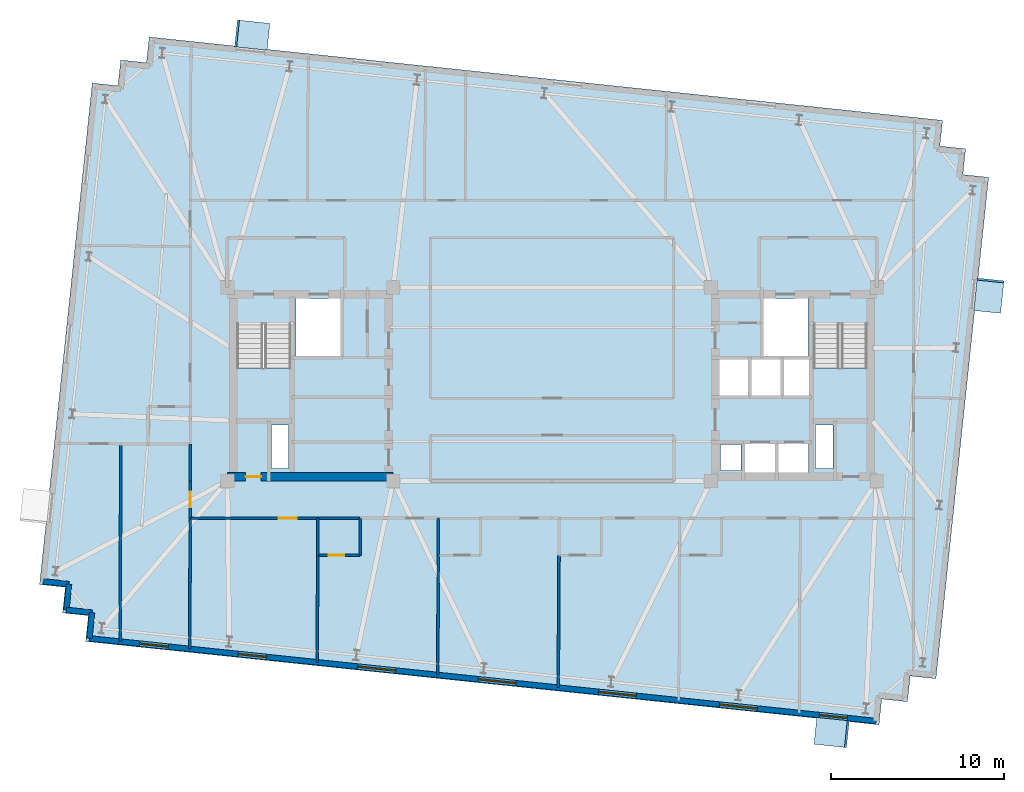
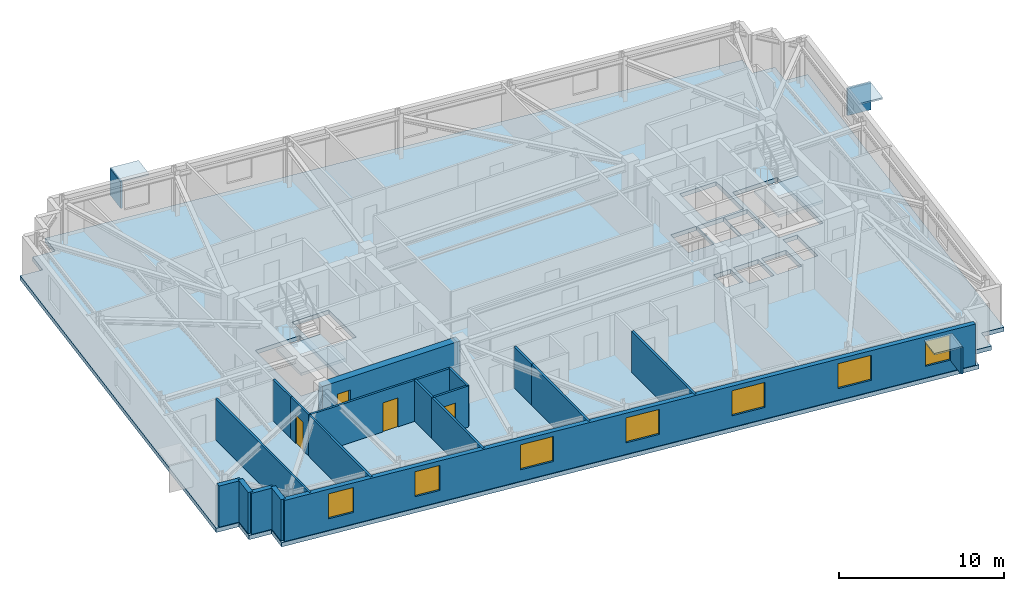
# One storey, part 5 of 11: 19 walls, 7 windows, 6 plates, 4 doors, 3 slabs, 11 openings, 2 elements without a shape of their own.
"""IFC4 building model written with IfcOpenShell, lengths in metres."""

import ifcopenshell
import ifcopenshell.guid

model = None  # the IFC model being written
_history = None  # IfcOwnerHistory: only IFC2X3 demands one
_inside = {}  # id of a spatial element -> (the spatial element, [elements in it])
_under = {}  # id of a project, library or spatial element -> (it, [spatial elements below it])
_declared = {}  # id of a project -> (the project, [libraries it declares])
_typed = {}  # id of a type object -> (the type object, [elements of that type])
_made_of = {}  # id of a material, layer set ... -> (it, [elements and type objects made of it])


def new_model(schema):
    """Start an empty IFC model of exactly this schema.

    Asked for "IFC4X3", IfcOpenShell would pick the latest addendum, in which some entities
    have other attributes; the version numbers below select the first issue.
    IFC2X3 requires an IfcOwnerHistory on every rooted entity: one is made here for all.
    """
    global model, _history
    if schema == "IFC4X3":
        model = ifcopenshell.file(schema_version=(4, 3, 0, 0))
    else:
        model = ifcopenshell.file(schema=schema)
    _inside.clear()
    _under.clear()
    _declared.clear()
    _typed.clear()
    _made_of.clear()
    _history = None
    if model.schema == "IFC2X3":
        org = make("IfcOrganization", Name="unknown")
        user = make(
            "IfcPersonAndOrganization",
            ThePerson=make("IfcPerson", FamilyName="unknown"),
            TheOrganization=org,
        )
        app = make(
            "IfcApplication",
            ApplicationDeveloper=org,
            Version="unknown",
            ApplicationFullName="unknown",
            ApplicationIdentifier="unknown",
        )
        _history = make(
            "IfcOwnerHistory",
            OwningUser=user,
            OwningApplication=app,
            ChangeAction="ADDED",
            CreationDate=0,
        )
    return model


def make(cls, **values):
    """One entity of the class cls with the attributes given. An attribute that is None is left unset."""
    return model.create_entity(
        cls, **{name: value for name, value in values.items() if value is not None}
    )


def rooted(cls, **values):
    """An entity with a GlobalId (a new one), such as an element, a storey or a relation."""
    return make(cls, GlobalId=ifcopenshell.guid.new(), OwnerHistory=_history, **values)


def si_unit(unit_type, name, prefix=None):
    """IfcSIUnit, for example si_unit("LENGTHUNIT", "METRE", prefix="MILLI")."""
    return make("IfcSIUnit", UnitType=unit_type, Prefix=prefix, Name=name)


def assignment(units):
    """IfcUnitAssignment: the units of a project."""
    return None if units is None else make("IfcUnitAssignment", Units=units)


def point(xyz):
    """IfcCartesianPoint."""
    return None if xyz is None else make("IfcCartesianPoint", Coordinates=xyz)


def direction(xyz):
    """IfcDirection."""
    return None if xyz is None else make("IfcDirection", DirectionRatios=xyz)


def frame(location, z_axis=None, x_axis=None):
    """IfcAxis2Placement3D, a coordinate frame: its origin and axes. An axis left out is left unset."""
    return make(
        "IfcAxis2Placement3D",
        Location=point(location),
        Axis=direction(z_axis),
        RefDirection=direction(x_axis),
    )


def frame_2d(location, x_axis=None):
    """IfcAxis2Placement2D, a coordinate frame in the plane: its origin and x axis."""
    return make(
        "IfcAxis2Placement2D", Location=point(location), RefDirection=direction(x_axis)
    )


def origin():
    """The frame at (0, 0, 0) with its axes left unset."""
    return frame((0.0, 0.0, 0.0))


def origin_2d():
    """The frame at (0, 0) in the plane with its x axis left unset."""
    return frame_2d((0.0, 0.0))


def place(relative_to, where):
    """IfcLocalPlacement: puts the frame where relative to a parent placement (None: the world)."""
    return make(
        "IfcLocalPlacement", PlacementRelTo=relative_to, RelativePlacement=where
    )


def context(
    kind, dimensions, precision=None, world=None, true_north=None, identifier=None
):
    """IfcGeometricRepresentationContext, for example the 3D "Model" context."""
    return make(
        "IfcGeometricRepresentationContext",
        ContextIdentifier=identifier,
        ContextType=kind,
        CoordinateSpaceDimension=dimensions,
        Precision=precision,
        WorldCoordinateSystem=world,
        TrueNorth=true_north,
    )


def subcontext(parent, identifier, kind, view, scale=None):
    """IfcGeometricRepresentationSubContext, for example "Body" below "Model"."""
    return make(
        "IfcGeometricRepresentationSubContext",
        ContextIdentifier=identifier,
        ContextType=kind,
        ParentContext=parent,
        TargetScale=scale,
        TargetView=view,
    )


def project(units=None, contexts=None):
    """IfcProject with its units and contexts."""
    return rooted(
        "IfcProject",
        Name="project",
        RepresentationContexts=contexts,
        UnitsInContext=assignment(units),
    )


def spatial(cls, under=None, at=None, **own):
    """A site, building, storey or space (cls), placed at a placement, below another one or the project."""
    s = rooted(cls, ObjectPlacement=at, **own)
    if under is not None:
        _under.setdefault(under.id(), (under, []))[1].append(s)
    return s


def polyline(points):
    """IfcPolyline through the points."""
    return make("IfcPolyline", Points=[point(p) for p in points])


def profile(cls, at=None, kind="AREA", **sizes):
    """A parametric profile (cls). Its sizes go by their IFC names, for example OverallWidth=200.0."""
    return make(cls, ProfileType=kind, Position=at, **sizes)


def rectangle(**sizes):
    """IfcRectangleProfileDef."""
    return profile("IfcRectangleProfileDef", **sizes)


def outline(outer, holes=None, kind="AREA"):
    """IfcArbitraryClosedProfileDef: a profile drawn as a closed curve; with holes, ...WithVoids."""
    if holes is None:
        return make("IfcArbitraryClosedProfileDef", ProfileType=kind, OuterCurve=outer)
    return make(
        "IfcArbitraryProfileDefWithVoids",
        ProfileType=kind,
        OuterCurve=outer,
        InnerCurves=holes,
    )


def extrude(swept, where, along, depth):
    """IfcExtrudedAreaSolid: the profile swept, set in the frame where, extruded along a direction by depth."""
    return make(
        "IfcExtrudedAreaSolid",
        SweptArea=swept,
        Position=where,
        ExtrudedDirection=direction(along),
        Depth=depth,
    )


def shape(context_of_items, identifier, shape_type, items):
    """IfcShapeRepresentation: the items that make up one representation, for example the "Body"."""
    return make(
        "IfcShapeRepresentation",
        ContextOfItems=context_of_items,
        RepresentationIdentifier=identifier,
        RepresentationType=shape_type,
        Items=items,
    )


def material(Name=None, Category=None):
    """IfcMaterial."""
    return make("IfcMaterial", Name=Name, Category=Category)


def layer(
    of_material, thickness, ventilated=None, Name=None, Category=None, Priority=None
):
    """IfcMaterialLayer: one layer of a wall or slab, of a material (None: an air gap)."""
    return make(
        "IfcMaterialLayer",
        Material=of_material,
        LayerThickness=thickness,
        IsVentilated=ventilated,
        Name=Name,
        Category=Category,
        Priority=Priority,
    )


def layer_set(layers, Name=None):
    """IfcMaterialLayerSet."""
    return make("IfcMaterialLayerSet", MaterialLayers=layers, LayerSetName=Name)


def made_of(thing, what):
    """Note that an element or type object is made of a material, layer set ...; save() writes the relation."""
    if what is not None:
        _made_of.setdefault(what.id(), (what, []))[1].append(thing)
    return thing


def type_object(cls, material=None, **own):
    """A type object (cls), such as IfcWallType, which elements share."""
    return made_of(rooted(cls, **own), material)


def element(
    cls,
    number,
    at=None,
    inside=None,
    cuts=None,
    type_object=None,
    material=None,
    context=None,
    identifier="Body",
    shape_type=None,
    held_by="IfcProductDefinitionShape",
    body=None,
    shapes=None,
    **own,
):
    """One element of the class cls, such as IfcWall. Its Tag is "e" and its number.

    at: its placement. inside: the storey or other place that contains it. cuts: it is an
    opening in that element (IfcRelVoidsElement). A single representation is given by context,
    identifier, shape_type and body (its items); several are given by shapes. held_by: the class
    of the entity that holds the representations. save() writes the other relations.
    """
    e = rooted(cls, Tag="e%d" % number, ObjectPlacement=at, **own)
    if body is not None:
        shapes = [shape(context, identifier, shape_type, body)]
    if shapes is not None:
        e.Representation = make(held_by, Representations=shapes)
    if inside is not None:
        _inside.setdefault(inside.id(), (inside, []))[1].append(e)
    if cuts is not None:
        rooted(
            "IfcRelVoidsElement", RelatingBuildingElement=cuts, RelatedOpeningElement=e
        )
    if type_object is not None:
        _typed.setdefault(type_object.id(), (type_object, []))[1].append(e)
    return made_of(e, material)


def fill(opening, filler):
    """IfcRelFillsElement: the door or window that sits in an opening."""
    return rooted(
        "IfcRelFillsElement",
        RelatingOpeningElement=opening,
        RelatedBuildingElement=filler,
    )


def aggregate(whole, parts):
    """IfcRelAggregates: a whole, such as a stair, and the parts it consists of."""
    return rooted("IfcRelAggregates", RelatingObject=whole, RelatedObjects=parts)


def save(model, path):
    """Write the relations noted so far, then the file.

    IfcRelAggregates (storeys below a building ...), IfcRelContainedInSpatialStructure (elements
    in a storey), IfcRelDefinesByType, IfcRelAssociatesMaterial and IfcRelDeclares: one each for
    every whole, place, type object, material and project.
    """
    for whole, parts in _under.values():
        aggregate(whole, parts)
    for where, things in _inside.values():
        rooted(
            "IfcRelContainedInSpatialStructure",
            RelatedElements=things,
            RelatingStructure=where,
        )
    for kind, things in _typed.values():
        rooted("IfcRelDefinesByType", RelatedObjects=things, RelatingType=kind)
    for what, things in _made_of.values():
        rooted("IfcRelAssociatesMaterial", RelatedObjects=things, RelatingMaterial=what)
    for by, libraries in _declared.values():
        rooted("IfcRelDeclares", RelatingContext=by, RelatedDefinitions=libraries)
    model.write(path)


model = new_model("IFC4")

# Units and contexts
model_context = context("Model", 3, precision=1e-05, world=origin(), true_north=direction((0.0, 1.0)))
body_context = subcontext(model_context, "Body", "Model", "MODEL_VIEW")
ifc_project = project(units=[si_unit("LENGTHUNIT", "METRE"), si_unit("AREAUNIT", "SQUARE_METRE"), si_unit("VOLUMEUNIT", "CUBIC_METRE"), si_unit("PLANEANGLEUNIT", "RADIAN"), si_unit("MASSUNIT", "GRAM", prefix="KILO")], contexts=[model_context])

# Site, building, storey
site_placement = place(None, origin())
site = spatial("IfcSite", under=ifc_project, at=site_placement, CompositionType="ELEMENT")
building_placement = place(site_placement, origin())
building = spatial("IfcBuilding", under=site, at=building_placement, Name="Qobustan Lattice House", CompositionType="ELEMENT")
storey_placement = place(building_placement, frame((0.0, 0.0, 216.5)))
storey = spatial("IfcBuildingStorey", under=building, at=storey_placement, Name="L61", CompositionType="ELEMENT", Elevation=216.5)

# Plates
ifc_material_1 = material(Name="Qobustan limestone GFRC", Category="masonry")
ifc_layer_1 = layer(ifc_material_1, 0.1201171875)
ifc_layer_set_1 = layer_set([ifc_layer_1], Name="Qobustan limestone GFRC")
plate_type = type_object("IfcPlateType", Name="SHD-HOOD-BROW", PredefinedType="USERDEFINED", material=ifc_layer_set_1)
plate_1_placement = place(storey_placement, frame((-17.364990234375, 20.224853515625, 2.699951171875), z_axis=(0.0, 0.0, 1.0), x_axis=(0.994521895368, -0.104528463268, 0.0)))
element("IfcPlate", 1, at=plate_1_placement, inside=storey, type_object=plate_type, Name="L61 splayed Qobustan stone hood brow", ObjectType="SUNSHADE", PredefinedType="USERDEFINED", context=body_context, shape_type="SweptSolid", body=[
    extrude(rectangle(XDim=1.889892578125, YDim=1.56005859375, at=origin_2d()), origin(), (0.0, 0.0, 1.0), 0.1201171875),
])
plate_2_placement = place(storey_placement, frame((-18.2451171875, 20.3173828125, 0.7900390625), z_axis=(0.0, 0.0, 1.0), x_axis=(0.994521895368, -0.104528463268, 0.0)))
element("IfcPlate", 2, at=plate_2_placement, inside=storey, type_object=plate_type, Name="L61 splayed Qobustan stone hood cheek", ObjectType="SUNSHADE", PredefinedType="USERDEFINED", context=body_context, shape_type="SweptSolid", body=[
    extrude(rectangle(XDim=0.1201171875, YDim=1.56005859375, at=origin_2d()), origin(), (0.0, 0.0, 1.0), 1.969970703125),
])
plate_3_placement = place(storey_placement, frame((25.29638671875, 5.134521484375, 2.699951171875), z_axis=(0.0, 0.0, 1.0), x_axis=(-0.104528463268, -0.994521895368, 0.0)))
element("IfcPlate", 3, at=plate_3_placement, inside=storey, type_object=plate_type, Name="L61 splayed Qobustan stone hood brow", ObjectType="SUNSHADE", PredefinedType="USERDEFINED", context=body_context, shape_type="SweptSolid", body=[
    extrude(rectangle(XDim=1.889892578125, YDim=1.56005859375, at=origin_2d()), origin(), (0.0, 0.0, 1.0), 0.1201171875),
])
plate_4_placement = place(storey_placement, frame((25.388916015625, 6.0146484375, 0.7900390625), z_axis=(0.0, 0.0, 1.0), x_axis=(-0.104528463268, -0.994521895368, 0.0)))
element("IfcPlate", 4, at=plate_4_placement, inside=storey, type_object=plate_type, Name="L61 splayed Qobustan stone hood cheek", ObjectType="SUNSHADE", PredefinedType="USERDEFINED", context=body_context, shape_type="SweptSolid", body=[
    extrude(rectangle(XDim=0.1201171875, YDim=1.56005859375, at=origin_2d()), origin(), (0.0, 0.0, 1.0), 1.969970703125),
])
plate_5_placement = place(storey_placement, frame((16.18994140625, -20.163818359375, 2.699951171875), z_axis=(0.0, 0.0, 1.0), x_axis=(-0.994521895368, 0.104528463268, 0.0)))
element("IfcPlate", 5, at=plate_5_placement, inside=storey, type_object=plate_type, Name="L61 splayed Qobustan stone hood brow", ObjectType="SUNSHADE", PredefinedType="USERDEFINED", context=body_context, shape_type="SweptSolid", body=[
    extrude(rectangle(XDim=1.889892578125, YDim=1.56005859375, at=origin_2d()), origin(), (0.0, 0.0, 1.0), 0.1201171875),
])
plate_6_placement = place(storey_placement, frame((17.070068359375, -20.25634765625, 0.7900390625), z_axis=(0.0, 0.0, 1.0), x_axis=(-0.994521895368, 0.104528463268, 0.0)))
element("IfcPlate", 6, at=plate_6_placement, inside=storey, type_object=plate_type, Name="L61 splayed Qobustan stone hood cheek", ObjectType="SUNSHADE", PredefinedType="USERDEFINED", context=body_context, shape_type="SweptSolid", body=[
    extrude(rectangle(XDim=0.1201171875, YDim=1.56005859375, at=origin_2d()), origin(), (0.0, 0.0, 1.0), 1.969970703125),
])

# Slab
ifc_material_2 = material(Name="Concrete C40/50", Category="concrete")
ifc_layer_2 = layer(ifc_material_2, 0.31005859375)
ifc_layer_set_2 = layer_set([ifc_layer_2], Name="Concrete C40/50")
slab_type_1 = type_object("IfcSlabType", Name="SLB-FLR-310", PredefinedType="FLOOR", material=ifc_layer_set_2)
slab_1_placement = place(storey_placement, frame((0.0, 0.0, -0.31005859375)))
element("IfcSlab", 7, at=slab_1_placement, inside=storey, type_object=slab_type_1, Name="L61 structural floor slab", PredefinedType="FLOOR", context=body_context, shape_type="SweptSolid", body=[
    extrude(outline(polyline([(-27.01318359375, -14.888916015625), (18.933837890625, -19.71826171875), (19.090576171875, -18.226318359375), (20.582275390625, -18.38330078125), (20.739013671875, -16.891357421875), (22.23095703125, -17.048095703125), (25.283203125, 11.99169921875), (23.79150390625, 12.148681640625), (23.947998046875, 13.640380859375), (22.456298828125, 13.797119140625), (22.61328125, 15.2890625), (-23.333740234375, 20.1181640625), (-23.490478515625, 18.62646484375), (-24.982421875, 18.783203125), (-25.13916015625, 17.29150390625), (-26.630859375, 17.4482421875), (-29.68310546875, -11.591796875), (-28.19140625, -11.74853515625), (-28.34814453125, -13.240478515625), (-26.8564453125, -13.397216796875), (-27.01318359375, -14.888916015625)]), holes=[polyline([(-18.25, -2.050048828125), (-18.25, 3.489990234375), (-15.1298828125, 3.489990234375), (-15.1298828125, -2.050048828125), (-18.25, -2.050048828125)]), polyline([(15.1298828125, -2.050048828125), (15.1298828125, 3.489990234375), (18.25, 3.489990234375), (18.25, -2.050048828125), (15.1298828125, -2.050048828125)]), polyline([(-14.820068359375, 1.64990234375), (-14.820068359375, 4.9599609375), (-12.25, 4.9599609375), (-12.25, 1.64990234375), (-14.820068359375, 1.64990234375)]), polyline([(12.25, 1.64990234375), (12.25, 4.9599609375), (14.820068359375, 4.9599609375), (14.820068359375, 1.64990234375), (12.25, 1.64990234375)]), polyline([(-16.260009765625, -4.8798828125), (-16.260009765625, -2.360107421875), (-15.260009765625, -2.360107421875), (-15.260009765625, -4.8798828125), (-16.260009765625, -4.8798828125)]), polyline([(15.260009765625, -4.8798828125), (15.260009765625, -2.360107421875), (16.260009765625, -2.360107421875), (16.260009765625, -4.8798828125), (15.260009765625, -4.8798828125)]), polyline([(11.179931640625, -5.35009765625), (11.179931640625, -3.419921875), (12.919921875, -3.419921875), (12.919921875, -5.35009765625), (11.179931640625, -5.35009765625)]), polyline([(13.1201171875, -5.35009765625), (13.1201171875, -3.419921875), (14.85009765625, -3.419921875), (14.85009765625, -5.35009765625), (13.1201171875, -5.35009765625)]), polyline([(9.760009765625, -5.0), (9.760009765625, -3.47998046875), (10.93994140625, -3.47998046875), (10.93994140625, -5.0), (9.760009765625, -5.0)]), polyline([(13.360107421875, -0.679931640625), (13.360107421875, 1.47998046875), (14.97998046875, 1.47998046875), (14.97998046875, -0.679931640625), (13.360107421875, -0.679931640625)]), polyline([(9.6201171875, -0.679931640625), (9.6201171875, 1.47998046875), (11.43994140625, 1.47998046875), (11.43994140625, -0.679931640625), (9.6201171875, -0.679931640625)]), polyline([(11.5, -0.679931640625), (11.5, 1.47998046875), (13.320068359375, 1.47998046875), (13.320068359375, -0.679931640625), (11.5, -0.679931640625)])]), origin(), (0.0, 0.0, 1.0), 0.31005859375),
])

# Stair, slab
ifc_material_3 = material(Name="Concrete C40/50", Category="concrete")
stair_type = type_object("IfcStairType", Name="STR-CORE-DOGLEG", PredefinedType="HALF_TURN_STAIR", material=ifc_material_3)
stair_1_placement = place(storey_placement, origin())
stair_1 = element("IfcStair", 8, at=stair_1_placement, inside=storey, type_object=stair_type, Name="L61 West protected exit stair ST-W1", PredefinedType="HALF_TURN_STAIR")
ifc_material_4 = material(Name="Concrete C40/50", Category="concrete")
ifc_layer_3 = layer(ifc_material_4, 0.199951171875)
ifc_layer_set_3 = layer_set([ifc_layer_3], Name="Concrete C40/50")
slab_type_2 = type_object("IfcSlabType", Name="SLB-LANDING-200", PredefinedType="LANDING", material=ifc_layer_set_3)
slab_2_placement = place(storey_placement, frame((0.0, 0.0, 1.47509765625)))
slab_2 = element("IfcSlab", 9, at=slab_2_placement, type_object=slab_type_2, Name="ST-W1 landing 1", PredefinedType="LANDING", context=body_context, shape_type="SweptSolid", body=[
    extrude(outline(polyline([(-18.25, 0.93505859375), (-18.25, -2.050048828125), (-15.1298828125, -2.050048828125), (-15.1298828125, 0.93505859375), (-18.25, 0.93505859375)])), origin(), (0.0, 0.0, 1.0), 0.199951171875),
])
aggregate(stair_1, [slab_2])

stair_2_placement = place(storey_placement, origin())
stair_2 = element("IfcStair", 10, at=stair_2_placement, inside=storey, type_object=stair_type, Name="L61 East protected exit stair ST-E1", PredefinedType="HALF_TURN_STAIR")
slab_3_placement = place(storey_placement, frame((0.0, 0.0, 1.47509765625)))
slab_3 = element("IfcSlab", 11, at=slab_3_placement, type_object=slab_type_2, Name="ST-E1 landing 1", PredefinedType="LANDING", context=body_context, shape_type="SweptSolid", body=[
    extrude(outline(polyline([(15.1298828125, 0.93505859375), (15.1298828125, -2.050048828125), (18.25, -2.050048828125), (18.25, 0.93505859375), (15.1298828125, 0.93505859375)])), origin(), (0.0, 0.0, 1.0), 0.199951171875),
])
aggregate(stair_2, [slab_3])

# Wall, opening, door
ifc_material_5 = material(Name="Concrete C50/60", Category="concrete")
ifc_layer_4 = layer(ifc_material_5, 0.5)
ifc_layer_set_4 = layer_set([ifc_layer_4], Name="Concrete C50/60")
wall_type_1 = type_object("IfcWallType", Name="WAL-CORE-500", PredefinedType="SHEAR", material=ifc_layer_set_4)
wall_1_placement = place(storey_placement, frame((-18.800048828125, -5.35009765625, 0.0), z_axis=(0.0, 0.0, 1.0), x_axis=(1.0, 0.0, 0.0)))
wall_1 = element("IfcWall", 12, at=wall_1_placement, inside=storey, type_object=wall_type_1, Name="L61 split-core shear wall CW-S", PredefinedType="SHEAR", context=body_context, shape_type="SweptSolid", body=[
    extrude(rectangle(XDim=9.60009765625, YDim=0.5, at=frame_2d((4.800048828125, 0.0))), origin(), (0.0, 0.0, 1.0), 3.0400390625),
])
opening_1_placement = place(wall_1_placement, frame((1.050048828125, 0.0, 0.0)))
opening_1 = element("IfcOpeningElement", 13, at=opening_1_placement, cuts=wall_1, Name="Opening RD-01", PredefinedType="OPENING", context=body_context, shape_type="SweptSolid", body=[
    extrude(rectangle(XDim=0.89990234375, YDim=2.10009765625, at=frame_2d((0.449951171875, 1.050048828125))), frame((0.0, 0.260009765625, 0.0), z_axis=(0.0, -1.0, 0.0), x_axis=(1.0, 0.0, 0.0)), (0.0, 0.0, 1.0), 0.52001953125),
])
ifc_material_6 = material(Name="Persian walnut timber and steel frame door", Category="steel")
door_type_1 = type_object("IfcDoorType", Name="DOR-RISER-FD-900x2100", OperationType="NOTDEFINED", PredefinedType="DOOR", material=ifc_material_6)
door_1_placement = place(opening_1_placement, origin())
door_1 = element("IfcDoor", 14, at=door_1_placement, inside=storey, type_object=door_type_1, Name="L61 core service riser access door W", OperationType="SINGLE_SWING_RIGHT", OverallHeight=2.10009765625, OverallWidth=0.89990234375, PredefinedType="DOOR", context=body_context, shape_type="SweptSolid", body=[
    extrude(rectangle(XDim=0.89990234375, YDim=2.10009765625, at=frame_2d((0.449951171875, 1.050048828125))), frame((0.0, 0.02490234375, 0.0), z_axis=(0.0, -1.0, 0.0), x_axis=(1.0, 0.0, 0.0)), (0.0, 0.0, 1.0), 0.050048828125),
])
fill(opening_1, door_1)

# Walls
ifc_material_7 = material(Name="Precast concrete C40/50", Category="concrete")
ifc_layer_5 = layer(ifc_material_7, 0.320068359375)
ifc_layer_set_5 = layer_set([ifc_layer_5], Name="Precast concrete C40/50")
wall_type_2 = type_object("IfcWallType", Name="WAL-EXT-STONE-320", PredefinedType="SOLIDWALL", material=ifc_layer_set_5)
for number, where, z_axis, x_axis, name in (
    (15, (-26.79345703125, -14.7109375, 0.0), (0.0, 0.0, 1.0), (0.104498377516, 0.994525057048, 0.0), "L61 exterior limestone-clad wall 1"),
    (16, (-26.63671875, -13.21923828125, 0.0), (0.0, 0.0, 1.0), (-0.994525057048, 0.104498377516, 0.0), "L61 exterior limestone-clad wall 2"),
):
    element("IfcWall", number, at=place(storey_placement, frame(where, z_axis=z_axis, x_axis=x_axis)), inside=storey, type_object=wall_type_2, Name=name, PredefinedType="SOLIDWALL", context=body_context, shape_type="SweptSolid", body=[
        extrude(rectangle(XDim=1.5, YDim=0.320068359375, at=frame_2d((0.75, 0.0))), origin(), (0.0, 0.0, 1.0), 3.0400390625),
    ])
wall_2_placement = place(storey_placement, frame((-28.12841796875, -13.0625, 0.0), z_axis=(0.0, 0.0, 1.0), x_axis=(0.104481464157, 0.994526834051, 0.0)))
element("IfcWall", 17, at=wall_2_placement, inside=storey, type_object=wall_type_2, Name="L61 exterior limestone-clad wall 3", PredefinedType="SOLIDWALL", context=body_context, shape_type="SweptSolid", body=[
    extrude(rectangle(XDim=1.500244140625, YDim=0.320068359375, at=frame_2d((0.75, 0.0))), origin(), (0.0, 0.0, 1.0), 3.0400390625),
])
wall_3_placement = place(storey_placement, frame((-27.9716796875, -11.570556640625, 0.0), z_axis=(0.0, 0.0, 1.0), x_axis=(-0.994525057048, 0.104498377516, 0.0)))
element("IfcWall", 18, at=wall_3_placement, inside=storey, type_object=wall_type_2, Name="L61 exterior limestone-clad wall 4", PredefinedType="SOLIDWALL", context=body_context, shape_type="SweptSolid", body=[
    extrude(rectangle(XDim=1.5, YDim=0.320068359375, at=frame_2d((0.75, 0.0))), origin(), (0.0, 0.0, 1.0), 3.0400390625),
])

# Wall, openings, windows
wall_4_placement = place(storey_placement, frame((18.755859375, -19.498291015625, 0.0), z_axis=(0.0, 0.0, 1.0), x_axis=(-0.994522060044, 0.104526896475, 0.0)))
wall_4 = element("IfcWall", 19, at=wall_4_placement, inside=storey, type_object=wall_type_2, Name="L61 exterior limestone-clad wall 20", PredefinedType="SOLIDWALL", context=body_context, shape_type="SweptSolid", body=[
    extrude(rectangle(XDim=45.80029296875, YDim=0.320068359375, at=frame_2d((22.900146484375, 0.0))), origin(), (0.0, 0.0, 1.0), 3.0400390625),
])
opening_2_placement = place(wall_4_placement, frame((1.6572265625, 0.0, 0.85009765625)))
opening_2 = element("IfcOpeningElement", 20, at=opening_2_placement, cuts=wall_4, Name="Opening WN-09", PredefinedType="OPENING", context=body_context, shape_type="SweptSolid", body=[
    extrude(rectangle(XDim=1.64990234375, YDim=1.85009765625, at=frame_2d((0.824951171875, 0.925048828125))), frame((0.0, 0.169921875, 0.0), z_axis=(0.0, -1.0, 0.0), x_axis=(1.0, 0.0, 0.0)), (0.0, 0.0, 1.0), 0.340087890625),
])
opening_3_placement = place(wall_4_placement, frame((6.906982421875, 0.0, 0.85009765625)))
opening_3 = element("IfcOpeningElement", 21, at=opening_3_placement, cuts=wall_4, Name="Opening WN-03", PredefinedType="OPENING", context=body_context, shape_type="SweptSolid", body=[
    extrude(rectangle(XDim=2.199951171875, YDim=1.85009765625, at=frame_2d((1.10009765625, 0.925048828125))), frame((0.0, 0.169921875, 0.0), z_axis=(0.0, -1.0, 0.0), x_axis=(1.0, 0.0, 0.0)), (0.0, 0.0, 1.0), 0.340087890625),
])
opening_4_placement = place(wall_4_placement, frame((13.953125, 0.0, 0.85009765625)))
opening_4 = element("IfcOpeningElement", 22, at=opening_4_placement, cuts=wall_4, Name="Opening WN-03", PredefinedType="OPENING", context=body_context, shape_type="SweptSolid", body=[
    extrude(rectangle(XDim=2.199951171875, YDim=1.85009765625, at=frame_2d((1.10009765625, 0.925048828125))), frame((0.0, 0.169921875, 0.0), z_axis=(0.0, -1.0, 0.0), x_axis=(1.0, 0.0, 0.0)), (0.0, 0.0, 1.0), 0.340087890625),
])
opening_5_placement = place(wall_4_placement, frame((20.959228515625, 0.0, 0.85009765625)))
opening_5 = element("IfcOpeningElement", 23, at=opening_5_placement, cuts=wall_4, Name="Opening WN-03", PredefinedType="OPENING", context=body_context, shape_type="SweptSolid", body=[
    extrude(rectangle(XDim=2.199951171875, YDim=1.85009765625, at=frame_2d((1.10009765625, 0.925048828125))), frame((0.0, 0.169921875, 0.0), z_axis=(0.0, -1.0, 0.0), x_axis=(1.0, 0.0, 0.0)), (0.0, 0.0, 1.0), 0.340087890625),
])
opening_6_placement = place(wall_4_placement, frame((27.96533203125, 0.0, 0.85009765625)))
opening_6 = element("IfcOpeningElement", 24, at=opening_6_placement, cuts=wall_4, Name="Opening WN-03", PredefinedType="OPENING", context=body_context, shape_type="SweptSolid", body=[
    extrude(rectangle(XDim=2.199951171875, YDim=1.85009765625, at=frame_2d((1.10009765625, 0.925048828125))), frame((0.0, 0.169921875, 0.0), z_axis=(0.0, -1.0, 0.0), x_axis=(1.0, 0.0, 0.0)), (0.0, 0.0, 1.0), 0.340087890625),
])
opening_7_placement = place(wall_4_placement, frame((35.48681640625, 0.0, 0.85009765625)))
opening_7 = element("IfcOpeningElement", 25, at=opening_7_placement, cuts=wall_4, Name="Opening WN-09", PredefinedType="OPENING", context=body_context, shape_type="SweptSolid", body=[
    extrude(rectangle(XDim=1.64990234375, YDim=1.85009765625, at=frame_2d((0.824951171875, 0.925048828125))), frame((0.0, 0.169921875, 0.0), z_axis=(0.0, -1.0, 0.0), x_axis=(1.0, 0.0, 0.0)), (0.0, 0.0, 1.0), 0.340087890625),
])
opening_8_placement = place(wall_4_placement, frame((41.2119140625, 0.0, 0.85009765625)))
opening_8 = element("IfcOpeningElement", 26, at=opening_8_placement, cuts=wall_4, Name="Opening WN-09", PredefinedType="OPENING", context=body_context, shape_type="SweptSolid", body=[
    extrude(rectangle(XDim=1.64990234375, YDim=1.85009765625, at=frame_2d((0.824951171875, 0.925048828125))), frame((0.0, 0.169921875, 0.0), z_axis=(0.0, -1.0, 0.0), x_axis=(1.0, 0.0, 0.0)), (0.0, 0.0, 1.0), 0.340087890625),
])
ifc_material_8 = material(Name="Double-glazed low-E aluminium window", Category="aluminium")
window_type_1 = type_object("IfcWindowType", Name="WIN-STU-1650x1850", PartitioningType="SINGLE_PANEL", PredefinedType="WINDOW", material=ifc_material_8)
window_1_placement = place(opening_2_placement, origin())
window_1 = element("IfcWindow", 27, at=window_1_placement, inside=storey, type_object=window_type_1, Name="L61 Group study room window", OverallHeight=1.85009765625, OverallWidth=1.64990234375, PartitioningType="SINGLE_PANEL", PredefinedType="WINDOW", context=body_context, shape_type="SweptSolid", body=[
    extrude(rectangle(XDim=1.64990234375, YDim=1.85009765625, at=frame_2d((0.824951171875, 0.925048828125))), frame((0.0, 0.030029296875, 0.0), z_axis=(0.0, -1.0, 0.0), x_axis=(1.0, 0.0, 0.0)), (0.0, 0.0, 1.0), 0.06005859375),
])
fill(opening_2, window_1)
window_2_placement = place(opening_7_placement, origin())
window_2 = element("IfcWindow", 28, at=window_2_placement, inside=storey, type_object=window_type_1, Name="L61 Focus study room S1 window", OverallHeight=1.85009765625, OverallWidth=1.64990234375, PartitioningType="SINGLE_PANEL", PredefinedType="WINDOW", context=body_context, shape_type="SweptSolid", body=[
    extrude(rectangle(XDim=1.64990234375, YDim=1.85009765625, at=frame_2d((0.824951171875, 0.925048828125))), frame((0.0, 0.030029296875, 0.0), z_axis=(0.0, -1.0, 0.0), x_axis=(1.0, 0.0, 0.0)), (0.0, 0.0, 1.0), 0.06005859375),
])
fill(opening_7, window_2)
window_3_placement = place(opening_8_placement, origin())
window_3 = element("IfcWindow", 29, at=window_3_placement, inside=storey, type_object=window_type_1, Name="L61 Focus study room W1B window", OverallHeight=1.85009765625, OverallWidth=1.64990234375, PartitioningType="SINGLE_PANEL", PredefinedType="WINDOW", context=body_context, shape_type="SweptSolid", body=[
    extrude(rectangle(XDim=1.64990234375, YDim=1.85009765625, at=frame_2d((0.824951171875, 0.925048828125))), frame((0.0, 0.030029296875, 0.0), z_axis=(0.0, -1.0, 0.0), x_axis=(1.0, 0.0, 0.0)), (0.0, 0.0, 1.0), 0.06005859375),
])
fill(opening_8, window_3)
ifc_material_9 = material(Name="Double-glazed low-E aluminium window", Category="aluminium")
window_type_2 = type_object("IfcWindowType", Name="WIN-WIDE-2200x1850", PartitioningType="SINGLE_PANEL", PredefinedType="WINDOW", material=ifc_material_9)
window_4_placement = place(opening_3_placement, origin())
window_4 = element("IfcWindow", 30, at=window_4_placement, inside=storey, type_object=window_type_2, Name="L61 Kitchenette and studio apartment L61-S5 window", OverallHeight=1.85009765625, OverallWidth=2.199951171875, PartitioningType="SINGLE_PANEL", PredefinedType="WINDOW", context=body_context, shape_type="SweptSolid", body=[
    extrude(rectangle(XDim=2.199951171875, YDim=1.85009765625, at=frame_2d((1.10009765625, 0.925048828125))), frame((0.0, 0.030029296875, 0.0), z_axis=(0.0, -1.0, 0.0), x_axis=(1.0, 0.0, 0.0)), (0.0, 0.0, 1.0), 0.06005859375),
])
fill(opening_3, window_4)
window_5_placement = place(opening_4_placement, origin())
window_5 = element("IfcWindow", 31, at=window_5_placement, inside=storey, type_object=window_type_2, Name="L61 Kitchenette and studio apartment L61-S4 window", OverallHeight=1.85009765625, OverallWidth=2.199951171875, PartitioningType="SINGLE_PANEL", PredefinedType="WINDOW", context=body_context, shape_type="SweptSolid", body=[
    extrude(rectangle(XDim=2.199951171875, YDim=1.85009765625, at=frame_2d((1.10009765625, 0.925048828125))), frame((0.0, 0.030029296875, 0.0), z_axis=(0.0, -1.0, 0.0), x_axis=(1.0, 0.0, 0.0)), (0.0, 0.0, 1.0), 0.06005859375),
])
fill(opening_4, window_5)
window_6_placement = place(opening_5_placement, origin())
window_6 = element("IfcWindow", 32, at=window_6_placement, inside=storey, type_object=window_type_2, Name="L61 Kitchenette and studio apartment L61-S3 window", OverallHeight=1.85009765625, OverallWidth=2.199951171875, PartitioningType="SINGLE_PANEL", PredefinedType="WINDOW", context=body_context, shape_type="SweptSolid", body=[
    extrude(rectangle(XDim=2.199951171875, YDim=1.85009765625, at=frame_2d((1.10009765625, 0.925048828125))), frame((0.0, 0.030029296875, 0.0), z_axis=(0.0, -1.0, 0.0), x_axis=(1.0, 0.0, 0.0)), (0.0, 0.0, 1.0), 0.06005859375),
])
fill(opening_5, window_6)
window_7_placement = place(opening_6_placement, origin())
window_7 = element("IfcWindow", 33, at=window_7_placement, inside=storey, type_object=window_type_2, Name="L61 Kitchenette and studio apartment L61-S2 window", OverallHeight=1.85009765625, OverallWidth=2.199951171875, PartitioningType="SINGLE_PANEL", PredefinedType="WINDOW", context=body_context, shape_type="SweptSolid", body=[
    extrude(rectangle(XDim=2.199951171875, YDim=1.85009765625, at=frame_2d((1.10009765625, 0.925048828125))), frame((0.0, 0.030029296875, 0.0), z_axis=(0.0, -1.0, 0.0), x_axis=(1.0, 0.0, 0.0)), (0.0, 0.0, 1.0), 0.06005859375),
])
fill(opening_6, window_7)

# Wall, opening, door
ifc_material_10 = material(Name="Acoustic twin-stud gypsum partition", Category="gypsum")
ifc_layer_6 = layer(ifc_material_10, 0.14990234375)
ifc_layer_set_6 = layer_set([ifc_layer_6], Name="Acoustic twin-stud gypsum partition")
wall_type_3 = type_object("IfcWallType", Name="WAL-PART-150", PredefinedType="PARTITIONING", material=ifc_layer_set_6)
wall_5_placement = place(storey_placement, frame((-20.949951171875, -7.75, 0.0), z_axis=(0.0, 0.0, 1.0), x_axis=(0.0, 1.0, 0.0)))
wall_5 = element("IfcWall", 34, at=wall_5_placement, inside=storey, type_object=wall_type_3, Name="L61 interior partition 44", PredefinedType="PARTITIONING", context=body_context, shape_type="SweptSolid", body=[
    extrude(rectangle(XDim=2.14990234375, YDim=0.14990234375, at=frame_2d((1.074951171875, 0.0))), origin(), (0.0, 0.0, 1.0), 3.0400390625),
])
opening_9_placement = place(wall_5_placement, frame((0.625, 0.0, 0.0)))
opening_9 = element("IfcOpeningElement", 35, at=opening_9_placement, cuts=wall_5, Name="Opening WD-01", PredefinedType="OPENING", context=body_context, shape_type="SweptSolid", body=[
    extrude(rectangle(XDim=0.89990234375, YDim=2.10009765625, at=frame_2d((0.449951171875, 1.050048828125))), frame((0.0, 0.0849609375, 0.0), z_axis=(0.0, -1.0, 0.0), x_axis=(1.0, 0.0, 0.0)), (0.0, 0.0, 1.0), 0.169921875),
])
ifc_material_11 = material(Name="Persian walnut timber and steel frame door", Category="steel")
door_type_2 = type_object("IfcDoorType", Name="DOR-WET-900x2100", OperationType="NOTDEFINED", PredefinedType="DOOR", material=ifc_material_11)
door_2_placement = place(opening_9_placement, origin())
door_2 = element("IfcDoor", 36, at=door_2_placement, inside=storey, type_object=door_type_2, Name="L61 South-west floor corridor to Focus study room W1B door", OperationType="SINGLE_SWING_RIGHT", OverallHeight=2.10009765625, OverallWidth=0.89990234375, PredefinedType="DOOR", context=body_context, shape_type="SweptSolid", body=[
    extrude(rectangle(XDim=0.89990234375, YDim=2.10009765625, at=frame_2d((0.449951171875, 1.050048828125))), frame((0.0, 0.02490234375, 0.0), z_axis=(0.0, -1.0, 0.0), x_axis=(1.0, 0.0, 0.0)), (0.0, 0.0, 1.0), 0.050048828125),
])
fill(opening_9, door_2)

wall_6_placement = place(storey_placement, frame((-13.56689453125, -7.75, 0.0), z_axis=(0.0, 0.0, 1.0), x_axis=(-1.0, 0.0, 0.0)))
wall_6 = element("IfcWall", 37, at=wall_6_placement, inside=storey, type_object=wall_type_3, Name="L61 interior partition 45", PredefinedType="PARTITIONING", context=body_context, shape_type="SweptSolid", body=[
    extrude(rectangle(XDim=7.383056640625, YDim=0.14990234375, at=frame_2d((3.69140625, 0.0))), origin(), (0.0, 0.0, 1.0), 3.0400390625),
])
opening_10_placement = place(wall_6_placement, frame((1.2265625, 0.0, 0.0)))
opening_10 = element("IfcOpeningElement", 38, at=opening_10_placement, cuts=wall_6, Name="Opening ID-02", PredefinedType="OPENING", context=body_context, shape_type="SweptSolid", body=[
    extrude(rectangle(XDim=1.050048828125, YDim=2.14990234375, at=frame_2d((0.52490234375, 1.074951171875))), frame((0.0, 0.0849609375, 0.0), z_axis=(0.0, -1.0, 0.0), x_axis=(1.0, 0.0, 0.0)), (0.0, 0.0, 1.0), 0.169921875),
])
ifc_material_12 = material(Name="Persian walnut timber and steel frame door", Category="steel")
door_type_3 = type_object("IfcDoorType", Name="DOR-STUDY-1050x2150", OperationType="NOTDEFINED", PredefinedType="DOOR", material=ifc_material_12)
door_3_placement = place(opening_10_placement, origin())
door_3 = element("IfcDoor", 39, at=door_3_placement, inside=storey, type_object=door_type_3, Name="L61 South-west floor corridor to Focus study room S1 door", OperationType="SINGLE_SWING_LEFT", OverallHeight=2.14990234375, OverallWidth=1.050048828125, PredefinedType="DOOR", context=body_context, shape_type="SweptSolid", body=[
    extrude(rectangle(XDim=1.050048828125, YDim=2.14990234375, at=frame_2d((0.52490234375, 1.074951171875))), frame((0.0, 0.02490234375, 0.0), z_axis=(0.0, -1.0, 0.0), x_axis=(1.0, 0.0, 0.0)), (0.0, 0.0, 1.0), 0.050048828125),
])
fill(opening_10, door_3)

# Walls
wall_7_placement = place(storey_placement, frame((-20.949951171875, -5.60009765625, 0.0), z_axis=(0.0, 0.0, 1.0), x_axis=(0.0, 1.0, 0.0)))
element("IfcWall", 40, at=wall_7_placement, inside=storey, type_object=wall_type_3, Name="L61 interior partition 59", PredefinedType="PARTITIONING", context=body_context, shape_type="SweptSolid", body=[
    extrude(rectangle(XDim=2.14404296875, YDim=0.14990234375, at=frame_2d((1.072021484375, 0.0))), origin(), (0.0, 0.0, 1.0), 3.0400390625),
])
wall_8_placement = place(storey_placement, frame((-24.975830078125, -3.4560546875, 0.0), z_axis=(0.0, 0.0, 1.0), x_axis=(-0.003840873, -0.99999262382, 0.0)))
element("IfcWall", 41, at=wall_8_placement, inside=storey, type_object=wall_type_3, Name="L61 interior partition 71", PredefinedType="PARTITIONING", context=body_context, shape_type="SweptSolid", body=[
    extrude(rectangle(XDim=11.44140625, YDim=0.14990234375, at=frame_2d((5.720703125, 0.0))), origin(), (0.0, 0.0, 1.0), 3.0400390625),
])
wall_9_placement = place(storey_placement, frame((-20.949951171875, -7.75, 0.0), z_axis=(0.0, 0.0, 1.0), x_axis=(-0.005804668564, -0.99998315277, 0.0)))
element("IfcWall", 42, at=wall_9_placement, inside=storey, type_object=wall_type_3, Name="L61 interior partition 75", PredefinedType="PARTITIONING", context=body_context, shape_type="SweptSolid", body=[
    extrude(rectangle(XDim=7.57080078125, YDim=0.14990234375, at=frame_2d((3.785400390625, 0.0))), origin(), (0.0, 0.0, 1.0), 3.0400390625),
])
wall_10_placement = place(storey_placement, frame((-13.56689453125, -9.89990234375, 0.0), z_axis=(0.0, 0.0, 1.0), x_axis=(-0.007091740814, -0.99997485329, 0.0)))
element("IfcWall", 43, at=wall_10_placement, inside=storey, type_object=wall_type_3, Name="L61 interior partition 87", PredefinedType="PARTITIONING", context=body_context, shape_type="SweptSolid", body=[
    extrude(rectangle(XDim=6.19677734375, YDim=0.14990234375, at=frame_2d((3.098388671875, 0.0))), origin(), (0.0, 0.0, 1.0), 3.0400390625),
])
wall_11_placement = place(storey_placement, frame((-6.5830078125, -9.89990234375, 0.0), z_axis=(0.0, 0.0, 1.0), x_axis=(-0.006340579882, -0.999979898321, 0.0)))
element("IfcWall", 44, at=wall_11_placement, inside=storey, type_object=wall_type_3, Name="L61 interior partition 91", PredefinedType="PARTITIONING", context=body_context, shape_type="SweptSolid", body=[
    extrude(rectangle(XDim=6.930908203125, YDim=0.14990234375, at=frame_2d((3.46533203125, 0.0))), origin(), (0.0, 0.0, 1.0), 3.0400390625),
])
wall_12_placement = place(storey_placement, frame((0.39990234375, -9.89990234375, 0.0), z_axis=(0.0, 0.0, 1.0), x_axis=(-0.005701633766, -0.999983745554, 0.0)))
element("IfcWall", 45, at=wall_12_placement, inside=storey, type_object=wall_type_3, Name="L61 interior partition 95", PredefinedType="PARTITIONING", context=body_context, shape_type="SweptSolid", body=[
    extrude(rectangle(XDim=7.664794921875, YDim=0.14990234375, at=frame_2d((3.83251953125, 0.0))), origin(), (0.0, 0.0, 1.0), 3.0400390625),
])
ifc_material_13 = material(Name="Moisture-resistant acoustic plumbing wall", Category="gypsum")
ifc_layer_7 = layer(ifc_material_13, 0.14990234375)
ifc_layer_set_7 = layer_set([ifc_layer_7], Name="Moisture-resistant acoustic plumbing wall")
wall_type_4 = type_object("IfcWallType", Name="WAL-WET-150", PredefinedType="PLUMBINGWALL", material=ifc_layer_set_7)
wall_13_placement = place(storey_placement, frame((-11.116943359375, -7.75, 0.0), z_axis=(0.0, 0.0, 1.0), x_axis=(-1.0, 0.0, 0.0)))
element("IfcWall", 46, at=wall_13_placement, inside=storey, type_object=wall_type_4, Name="L61 interior partition 47", PredefinedType="PLUMBINGWALL", context=body_context, shape_type="SweptSolid", body=[
    extrude(rectangle(XDim=2.449951171875, YDim=0.14990234375, at=frame_2d((1.22509765625, 0.0))), origin(), (0.0, 0.0, 1.0), 3.0400390625),
])
wall_14_placement = place(storey_placement, frame((-13.56689453125, -7.75, 0.0), z_axis=(0.0, 0.0, 1.0), x_axis=(0.0, -1.0, 0.0)))
element("IfcWall", 47, at=wall_14_placement, inside=storey, type_object=wall_type_4, Name="L61 interior partition 88", PredefinedType="PLUMBINGWALL", context=body_context, shape_type="SweptSolid", body=[
    extrude(rectangle(XDim=2.14990234375, YDim=0.14990234375, at=frame_2d((1.074951171875, 0.0))), origin(), (0.0, 0.0, 1.0), 3.0400390625),
])

# Wall, opening, door
wall_15_placement = place(storey_placement, frame((-13.56689453125, -9.89990234375, 0.0), z_axis=(0.0, 0.0, 1.0), x_axis=(1.0, 0.0, 0.0)))
wall_15 = element("IfcWall", 48, at=wall_15_placement, inside=storey, type_object=wall_type_4, Name="L61 interior partition 89", PredefinedType="PLUMBINGWALL", context=body_context, shape_type="SweptSolid", body=[
    extrude(rectangle(XDim=2.449951171875, YDim=0.14990234375, at=frame_2d((1.22509765625, 0.0))), origin(), (0.0, 0.0, 1.0), 3.0400390625),
])
opening_11_placement = place(wall_15_placement, frame((0.628662109375, 0.0, 0.0)))
opening_11 = element("IfcOpeningElement", 49, at=opening_11_placement, cuts=wall_15, Name="Opening WD-01", PredefinedType="OPENING", context=body_context, shape_type="SweptSolid", body=[
    extrude(rectangle(XDim=0.89990234375, YDim=2.10009765625, at=frame_2d((0.449951171875, 1.050048828125))), frame((0.0, 0.0849609375, 0.0), z_axis=(0.0, -1.0, 0.0), x_axis=(1.0, 0.0, 0.0)), (0.0, 0.0, 1.0), 0.169921875),
])
door_4_placement = place(opening_11_placement, origin())
door_4 = element("IfcDoor", 50, at=door_4_placement, inside=storey, type_object=door_type_2, Name="L61 Kitchenette and studio apartment L61-S2 to En-suite bathroom L61-S2 door", OperationType="SINGLE_SWING_RIGHT", OverallHeight=2.10009765625, OverallWidth=0.89990234375, PredefinedType="DOOR", context=body_context, shape_type="SweptSolid", body=[
    extrude(rectangle(XDim=0.89990234375, YDim=2.10009765625, at=frame_2d((0.449951171875, 1.050048828125))), frame((0.0, 0.02490234375, 0.0), z_axis=(0.0, -1.0, 0.0), x_axis=(1.0, 0.0, 0.0)), (0.0, 0.0, 1.0), 0.050048828125),
])
fill(opening_11, door_4)

# Walls
for number, where, z_axis, x_axis, name in (
    (51, (-11.116943359375, -9.89990234375, 0.0), (0.0, 0.0, 1.0), (0.0, 1.0, 0.0), "L61 interior partition 90"),
    (52, (-6.5830078125, -7.75, 0.0), (0.0, 0.0, 1.0), (0.0, -1.0, 0.0), "L61 interior partition 92"),
):
    element("IfcWall", number, at=place(storey_placement, frame(where, z_axis=z_axis, x_axis=x_axis)), inside=storey, type_object=wall_type_4, Name=name, PredefinedType="PLUMBINGWALL", context=body_context, shape_type="SweptSolid", body=[
        extrude(rectangle(XDim=2.14990234375, YDim=0.14990234375, at=frame_2d((1.074951171875, 0.0))), origin(), (0.0, 0.0, 1.0), 3.0400390625),
    ])

save(model, "model.ifc")
